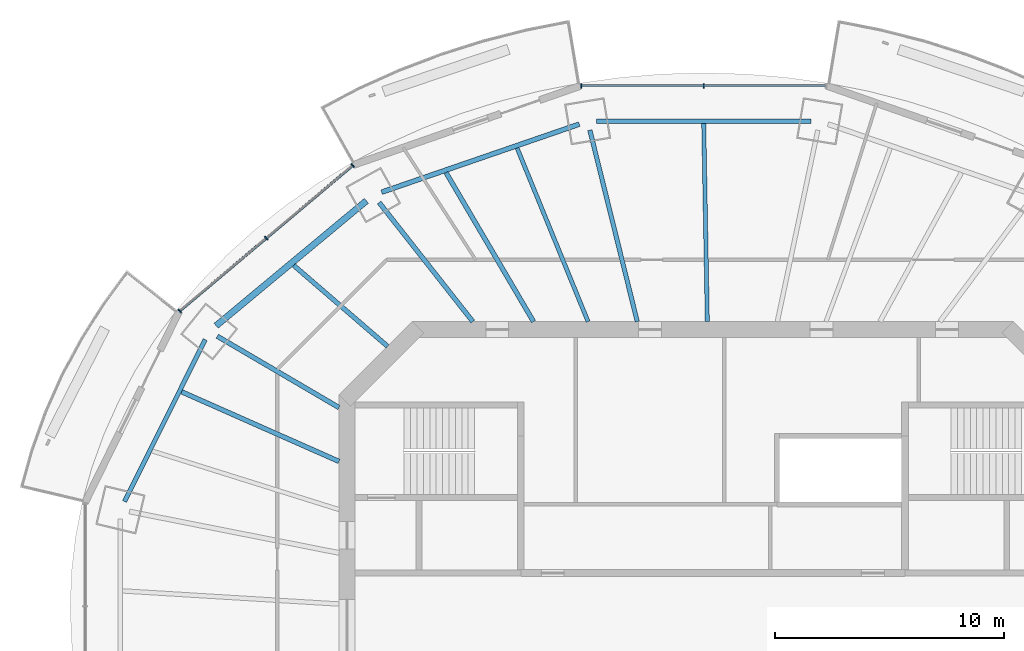
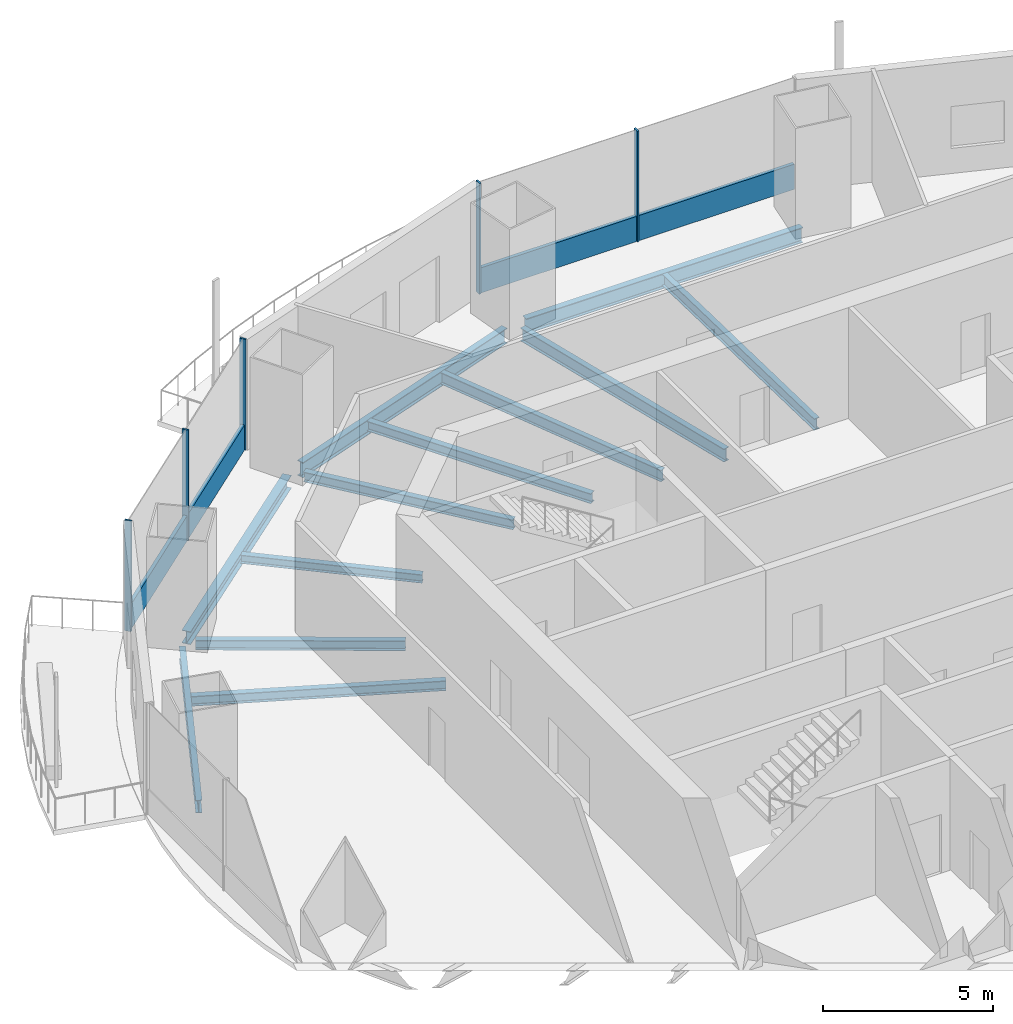
# One storey, part 5 of 16: 12 beams, 7 members, 2 elements without a shape of their own.
"""IFC4 building model written with IfcOpenShell, lengths in metres."""

from ifc_helpers import new_model, si_unit, direction, frame, origin, origin_2d, place, context, subcontext, project, spatial, rectangle, i_section, extrude, material, material_profile, profile_set, type_object, element, aggregate, save


model = new_model("IFC4")

# Units and contexts
model_context = context("Model", 3, precision=1e-05, world=origin(), true_north=direction((0.0, 1.0)))
body_context = subcontext(model_context, "Body", "Model", "MODEL_VIEW")
ifc_project = project(units=[si_unit("LENGTHUNIT", "METRE"), si_unit("AREAUNIT", "SQUARE_METRE"), si_unit("VOLUMEUNIT", "CUBIC_METRE"), si_unit("PLANEANGLEUNIT", "RADIAN"), si_unit("MASSUNIT", "GRAM", prefix="KILO")], contexts=[model_context])

# Site, building, storey
site_placement = place(None, origin())
site = spatial("IfcSite", under=ifc_project, at=site_placement, CompositionType="ELEMENT")
building_placement = place(site_placement, origin())
building = spatial("IfcBuilding", under=site, at=building_placement, Name="Marenthal Gate Tower", CompositionType="ELEMENT")
storey_placement = place(building_placement, frame((0.0, 0.0, 330.14990234375)))
storey = spatial("IfcBuildingStorey", under=building, at=storey_placement, Name="L74", CompositionType="ELEMENT", Elevation=330.14990234375)

# Curtain wall, members
ifc_material_1 = material(Name="Aluminium and glass", Category="aluminium")
curtain_wall_type = type_object("IfcCurtainWallType", Name="Curtain wall typical high", PredefinedType="NOTDEFINED", material=ifc_material_1)
curtain_wall_1_placement = place(storey_placement, origin())
curtain_wall_1 = element("IfcCurtainWall", 1, at=curtain_wall_1_placement, inside=storey, type_object=curtain_wall_type, Name="Curtain wall L74 bay 4", PredefinedType="NOTDEFINED")
ifc_material_2 = material(Name="Aluminium", Category="aluminium")
ifc_material_profile_1 = material_profile(ifc_material_2, rectangle(XDim=0.199951171875, YDim=0.06005859375, at=origin_2d()), Name="60x200 aluminium mullion")
ifc_profile_set_1 = profile_set([ifc_material_profile_1], Name="Aluminium")
member_type_1 = type_object("IfcMemberType", Name="Mullion 60x200 typical high", PredefinedType="MULLION", material=ifc_profile_set_1)
member_1_placement = place(storey_placement, frame((-0.39990234375, 23.6611328125, 0.0), z_axis=(0.0, 0.0, 1.0), x_axis=(0.0, -1.0, 0.0)))
member_1 = element("IfcMember", 2, at=member_1_placement, type_object=member_type_1, Name="Mullion L74 bay 4.2", PredefinedType="MULLION", context=body_context, shape_type="SweptSolid", body=[
    extrude(rectangle(XDim=0.199951171875, YDim=0.06005859375, at=origin_2d()), origin(), (0.0, 0.0, 1.0), 3.97021484375),
])
member_2_placement = place(storey_placement, frame((-5.7529296875, 23.6611328125, 0.0), z_axis=(0.0, 0.0, 1.0), x_axis=(0.0, -1.0, 0.0)))
member_2 = element("IfcMember", 3, at=member_2_placement, type_object=member_type_1, Name="Mullion L74 bay 4.3", PredefinedType="MULLION", context=body_context, shape_type="SweptSolid", body=[
    extrude(rectangle(XDim=0.199951171875, YDim=0.06005859375, at=origin_2d()), origin(), (0.0, 0.0, 1.0), 3.97021484375),
])

curtain_wall_2_placement = place(storey_placement, origin())
curtain_wall_2 = element("IfcCurtainWall", 4, at=curtain_wall_2_placement, inside=storey, type_object=curtain_wall_type, Name="Curtain wall L74 bay 6", PredefinedType="NOTDEFINED")
member_3_placement = place(storey_placement, frame((-15.752197265625, 20.176513671875, 0.0), z_axis=(0.0, 0.0, 1.0), x_axis=(0.643676220215, -0.76529793122, 0.0)))
member_3 = element("IfcMember", 5, at=member_3_placement, type_object=member_type_1, Name="Mullion L74 bay 6.1", PredefinedType="MULLION", context=body_context, shape_type="SweptSolid", body=[
    extrude(rectangle(XDim=0.199951171875, YDim=0.06005859375, at=origin_2d()), origin(), (0.0, 0.0, 1.0), 3.97021484375),
])
member_4_placement = place(storey_placement, frame((-19.53564453125, 16.99462890625, 0.0), z_axis=(0.0, 0.0, 1.0), x_axis=(0.643676220215, -0.76529793122, 0.0)))
member_4 = element("IfcMember", 6, at=member_4_placement, type_object=member_type_1, Name="Mullion L74 bay 6.2", PredefinedType="MULLION", context=body_context, shape_type="SweptSolid", body=[
    extrude(rectangle(XDim=0.199951171875, YDim=0.06005859375, at=origin_2d()), origin(), (0.0, 0.0, 1.0), 3.97021484375),
])
member_5_placement = place(storey_placement, frame((-23.31884765625, 13.8125, 0.0), z_axis=(0.0, 0.0, 1.0), x_axis=(0.643676220215, -0.76529793122, 0.0)))
member_5 = element("IfcMember", 7, at=member_5_placement, type_object=member_type_1, Name="Mullion L74 bay 6.3", PredefinedType="MULLION", context=body_context, shape_type="SweptSolid", body=[
    extrude(rectangle(XDim=0.199951171875, YDim=0.06005859375, at=origin_2d()), origin(), (0.0, 0.0, 1.0), 3.97021484375),
])

# Member
ifc_material_3 = material(Name="Aluminium", Category="aluminium")
ifc_material_profile_2 = material_profile(ifc_material_3, rectangle(XDim=0.1201171875, YDim=0.89990234375, at=origin_2d()), Name="120x900 aluminium transom")
ifc_profile_set_2 = profile_set([ifc_material_profile_2], Name="Aluminium")
member_type_2 = type_object("IfcMemberType", Name="Transom 120x900 typical high", PredefinedType="USERDEFINED", material=ifc_profile_set_2)
member_6_placement = place(storey_placement, frame((4.9228515625, 23.6611328125, 0.4501953125), z_axis=(-1.0, 0.0, 0.0), x_axis=(0.0, -1.0, 0.0)))
member_6 = element("IfcMember", 8, at=member_6_placement, type_object=member_type_2, Name="Transom L74 bay 4", ObjectType="TRANSOM", PredefinedType="USERDEFINED", context=body_context, shape_type="SweptSolid", body=[
    extrude(rectangle(XDim=0.1201171875, YDim=0.89990234375, at=origin_2d()), origin(), (0.0, 0.0, 1.0), 10.645751953125),
])

aggregate(curtain_wall_1, [member_1, member_2, member_6])

member_7_placement = place(storey_placement, frame((-15.775146484375, 20.1572265625, 0.4501953125), z_axis=(-0.765303397989, -0.643669720451, 0.0), x_axis=(0.643669720451, -0.765303397989, 0.0)))
member_7 = element("IfcMember", 9, at=member_7_placement, type_object=member_type_2, Name="Transom L74 bay 6", ObjectType="TRANSOM", PredefinedType="USERDEFINED", context=body_context, shape_type="SweptSolid", body=[
    extrude(rectangle(XDim=0.1201171875, YDim=0.89990234375, at=origin_2d()), origin(), (0.0, 0.0, 1.0), 9.8271484375),
])

aggregate(curtain_wall_2, [member_3, member_4, member_5, member_7])

# Beams
ifc_material_4 = material(Name="Steel S355", Category="steel")
ifc_material_profile_3 = material_profile(ifc_material_4, i_section(OverallWidth=0.202880859375, OverallDepth=0.302001953125, WebThickness=0.007568359375, FlangeThickness=0.01318359375, FilletRadius=0.0126953125, at=origin_2d()), Name="W310X60")
ifc_profile_set_3 = profile_set([ifc_material_profile_3], Name="Steel S355")
beam_type_1 = type_object("IfcBeamType", Name="W310X60 beam", PredefinedType="BEAM", material=ifc_profile_set_3)
beam_1_placement = place(storey_placement, frame((-18.332763671875, 15.806396484375, -0.330810546875), z_axis=(0.757361566937, -0.652995755673, 0.0), x_axis=(0.652995755673, 0.757361566937, 0.0)))
element("IfcBeam", 10, at=beam_1_placement, inside=storey, type_object=beam_type_1, Name="BM-L74-25", PredefinedType="BEAM", context=body_context, shape_type="SweptSolid", body=[
    extrude(i_section(OverallWidth=0.202880859375, OverallDepth=0.302001953125, WebThickness=0.007568359375, FlangeThickness=0.01318359375, FilletRadius=0.0126953125, at=origin_2d()), origin(), (0.0, 0.0, 1.0), 5.420166015625),
])
ifc_material_5 = material(Name="Steel S355", Category="steel")
ifc_material_profile_4 = material_profile(ifc_material_5, i_section(OverallWidth=0.205078125, OverallDepth=0.35302734375, WebThickness=0.009521484375, FlangeThickness=0.016845703125, FilletRadius=0.014892578125, at=origin_2d()), Name="W360X79")
ifc_profile_set_4 = profile_set([ifc_material_profile_4], Name="Steel S355")
beam_type_2 = type_object("IfcBeamType", Name="W360X79 beam", PredefinedType="BEAM", material=ifc_profile_set_4)
beam_2_placement = place(storey_placement, frame((-14.59716796875, 18.55859375, -0.3564453125), z_axis=(0.618244505553, -0.785985834067, 0.0), x_axis=(0.785985834067, 0.618244505553, 0.0)))
element("IfcBeam", 11, at=beam_2_placement, inside=storey, type_object=beam_type_2, Name="BM-L74-06", PredefinedType="BEAM", context=body_context, shape_type="SweptSolid", body=[
    extrude(i_section(OverallWidth=0.205078125, OverallDepth=0.35302734375, WebThickness=0.009521484375, FlangeThickness=0.016845703125, FilletRadius=0.014892578125, at=origin_2d()), origin(), (0.0, 0.0, 1.0), 6.626708984375),
])
beam_3_placement = place(storey_placement, frame((-21.6748046875, 12.7080078125, -0.3564453125), z_axis=(0.862666430461, -0.505773298776, 0.0), x_axis=(0.505773298776, 0.862666430461, 0.0)))
element("IfcBeam", 12, at=beam_3_placement, inside=storey, type_object=beam_type_2, Name="BM-L74-07", PredefinedType="BEAM", context=body_context, shape_type="SweptSolid", body=[
    extrude(i_section(OverallWidth=0.205078125, OverallDepth=0.35302734375, WebThickness=0.009521484375, FlangeThickness=0.016845703125, FilletRadius=0.014892578125, at=origin_2d()), origin(), (0.0, 0.0, 1.0), 6.17236328125),
])
beam_4_placement = place(storey_placement, frame((-11.671142578125, 19.865478515625, -0.3564453125), z_axis=(0.50655835561, -0.862205678688, 0.0), x_axis=(0.862205678688, 0.50655835561, 0.0)))
element("IfcBeam", 13, at=beam_4_placement, inside=storey, type_object=beam_type_2, Name="BM-L74-24", PredefinedType="BEAM", context=body_context, shape_type="SweptSolid", body=[
    extrude(i_section(OverallWidth=0.205078125, OverallDepth=0.35302734375, WebThickness=0.009521484375, FlangeThickness=0.016845703125, FilletRadius=0.014892578125, at=origin_2d()), origin(), (0.0, 0.0, 1.0), 7.556640625),
])
beam_5_placement = place(storey_placement, frame((-23.2353515625, 10.27783203125, -0.3564453125), z_axis=(0.914522879834, -0.404534179347, 0.0), x_axis=(0.404534179347, 0.914522879834, 0.0)))
element("IfcBeam", 14, at=beam_5_placement, inside=storey, type_object=beam_type_2, Name="BM-L74-26", PredefinedType="BEAM", context=body_context, shape_type="SweptSolid", body=[
    extrude(i_section(OverallWidth=0.205078125, OverallDepth=0.35302734375, WebThickness=0.009521484375, FlangeThickness=0.016845703125, FilletRadius=0.014892578125, at=origin_2d()), origin(), (0.0, 0.0, 1.0), 7.52880859375),
])
ifc_material_6 = material(Name="Steel S355", Category="steel")
ifc_material_profile_5 = material_profile(ifc_material_6, i_section(OverallWidth=0.180908203125, OverallDepth=0.4169921875, WebThickness=0.010986328125, FlangeThickness=0.018310546875, FilletRadius=0.01025390625, at=origin_2d()), Name="W410X85")
ifc_profile_set_5 = profile_set([ifc_material_profile_5], Name="Steel S355")
beam_type_3 = type_object("IfcBeamType", Name="W410X85 beam", PredefinedType="BEAM", material=ifc_profile_set_5)
beam_6_placement = place(storey_placement, frame((-0.398193359375, 22.00537109375, -0.388427734375), z_axis=(0.018106023879, -0.999836072514, 0.0), x_axis=(0.999836072514, 0.018106023879, 0.0)))
element("IfcBeam", 15, at=beam_6_placement, inside=storey, type_object=beam_type_3, Name="BM-L74-22", PredefinedType="BEAM", context=body_context, shape_type="SweptSolid", body=[
    extrude(i_section(OverallWidth=0.180908203125, OverallDepth=0.4169921875, WebThickness=0.010986328125, FlangeThickness=0.018310546875, FilletRadius=0.01025390625, at=origin_2d()), origin(), (0.0, 0.0, 1.0), 8.65673828125),
])
beam_7_placement = place(storey_placement, frame((-8.56005859375, 20.936767578125, -0.388427734375), z_axis=(0.378441463941, -0.925625225656, 0.0), x_axis=(0.925625225656, 0.378441463941, 0.0)))
element("IfcBeam", 16, at=beam_7_placement, inside=storey, type_object=beam_type_3, Name="BM-L74-23", PredefinedType="BEAM", context=body_context, shape_type="SweptSolid", body=[
    extrude(i_section(OverallWidth=0.180908203125, OverallDepth=0.4169921875, WebThickness=0.010986328125, FlangeThickness=0.018310546875, FilletRadius=0.01025390625, at=origin_2d()), origin(), (0.0, 0.0, 1.0), 8.1962890625),
])
ifc_material_7 = material(Name="Steel S355", Category="steel")
ifc_material_profile_6 = material_profile(ifc_material_7, i_section(OverallWidth=0.279052734375, OverallDepth=0.4619140625, WebThickness=0.0107421875, FlangeThickness=0.017333984375, FilletRadius=0.010009765625, at=origin_2d()), Name="W460X113")
ifc_profile_set_6 = profile_set([ifc_material_profile_6], Name="Steel S355")
beam_type_4 = type_object("IfcBeamType", Name="W460X113 beam", PredefinedType="BEAM", material=ifc_profile_set_6)
beam_8_placement = place(storey_placement, frame((-15.151611328125, 18.632568359375, -0.410888671875), z_axis=(-0.768960363439, -0.63929645663, 0.0), x_axis=(0.63929645663, -0.768960363439, 0.0)))
element("IfcBeam", 17, at=beam_8_placement, inside=storey, type_object=beam_type_4, Name="BM-L74-46", PredefinedType="BEAM", context=body_context, shape_type="SweptSolid", body=[
    extrude(i_section(OverallWidth=0.279052734375, OverallDepth=0.4619140625, WebThickness=0.0107421875, FlangeThickness=0.017333984375, FilletRadius=0.010009765625, at=origin_2d()), origin(), (0.0, 0.0, 1.0), 8.550048828125),
])
ifc_material_8 = material(Name="Steel S355", Category="steel")
ifc_material_profile_7 = material_profile(ifc_material_8, i_section(OverallWidth=0.19091796875, OverallDepth=0.45703125, WebThickness=0.009033203125, FlangeThickness=0.014404296875, FilletRadius=0.01025390625, at=origin_2d()), Name="W460X74")
ifc_profile_set_7 = profile_set([ifc_material_profile_7], Name="Steel S355")
beam_type_5 = type_object("IfcBeamType", Name="W460X74 beam", PredefinedType="BEAM", material=ifc_profile_set_7)
beam_9_placement = place(storey_placement, frame((-22.20458984375, 12.561279296875, -0.408447265625), z_axis=(-0.445917839927, -0.89507389641, 0.0), x_axis=(0.89507389641, -0.445917839927, 0.0)))
element("IfcBeam", 18, at=beam_9_placement, inside=storey, type_object=beam_type_5, Name="BM-L74-47", PredefinedType="BEAM", context=body_context, shape_type="SweptSolid", body=[
    extrude(i_section(OverallWidth=0.19091796875, OverallDepth=0.45703125, WebThickness=0.009033203125, FlangeThickness=0.014404296875, FilletRadius=0.01025390625, at=origin_2d()), origin(), (0.0, 0.0, 1.0), 7.916259765625),
])
ifc_material_9 = material(Name="Steel S355", Category="steel")
ifc_material_profile_8 = material_profile(ifc_material_9, i_section(OverallWidth=0.193115234375, OverallDepth=0.467041015625, WebThickness=0.011474609375, FlangeThickness=0.01904296875, FilletRadius=0.010009765625, at=origin_2d()), Name="W460X97")
ifc_profile_set_8 = profile_set([ifc_material_profile_8], Name="Steel S355")
beam_type_6 = type_object("IfcBeamType", Name="W460X97 beam", PredefinedType="BEAM", material=ifc_profile_set_8)
beam_10_placement = place(storey_placement, frame((-5.3779296875, 21.720458984375, -0.413330078125), z_axis=(0.240343299319, -0.970687951132, 0.0), x_axis=(0.970687951132, 0.240343299319, 0.0)))
element("IfcBeam", 19, at=beam_10_placement, inside=storey, type_object=beam_type_6, Name="BM-L74-05", PredefinedType="BEAM", context=body_context, shape_type="SweptSolid", body=[
    extrude(i_section(OverallWidth=0.193115234375, OverallDepth=0.467041015625, WebThickness=0.011474609375, FlangeThickness=0.01904296875, FilletRadius=0.010009765625, at=origin_2d()), origin(), (0.0, 0.0, 1.0), 8.623046875),
])
ifc_material_10 = material(Name="Steel S355", Category="steel")
ifc_material_profile_9 = material_profile(ifc_material_10, i_section(OverallWidth=0.2119140625, OverallDepth=0.5439453125, WebThickness=0.01318359375, FlangeThickness=0.021240234375, FilletRadius=0.0126953125, at=origin_2d()), Name="W530X123")
ifc_profile_set_9 = profile_set([ifc_material_profile_9], Name="Steel S355")
beam_type_7 = type_object("IfcBeamType", Name="W530X123 beam", PredefinedType="BEAM", material=ifc_profile_set_9)
beam_11_placement = place(storey_placement, frame((4.287841796875, 22.111328125, -0.451904296875), z_axis=(-1.0, 0.0, 0.0), x_axis=(0.0, -1.0, 0.0)))
element("IfcBeam", 20, at=beam_11_placement, inside=storey, type_object=beam_type_7, Name="BM-L74-44", PredefinedType="BEAM", context=body_context, shape_type="SweptSolid", body=[
    extrude(i_section(OverallWidth=0.2119140625, OverallDepth=0.5439453125, WebThickness=0.01318359375, FlangeThickness=0.021240234375, FilletRadius=0.0126953125, at=origin_2d()), origin(), (0.0, 0.0, 1.0), 9.375732421875),
])
beam_12_placement = place(storey_placement, frame((-5.841064453125, 21.985107421875, -0.451904296875), z_axis=(-0.945506586405, -0.325602971522, 0.0), x_axis=(0.325602971522, -0.945506586405, 0.0)))
element("IfcBeam", 21, at=beam_12_placement, inside=storey, type_object=beam_type_7, Name="BM-L74-45", PredefinedType="BEAM", context=body_context, shape_type="SweptSolid", body=[
    extrude(i_section(OverallWidth=0.2119140625, OverallDepth=0.5439453125, WebThickness=0.01318359375, FlangeThickness=0.021240234375, FilletRadius=0.0126953125, at=origin_2d()), origin(), (0.0, 0.0, 1.0), 9.140869140625),
])

save(model, "model.ifc")
